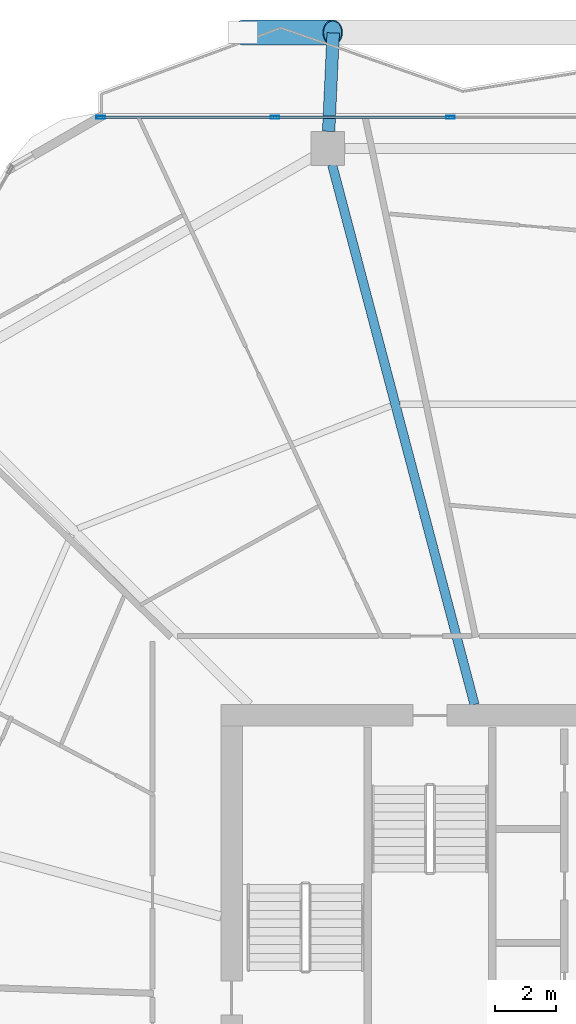
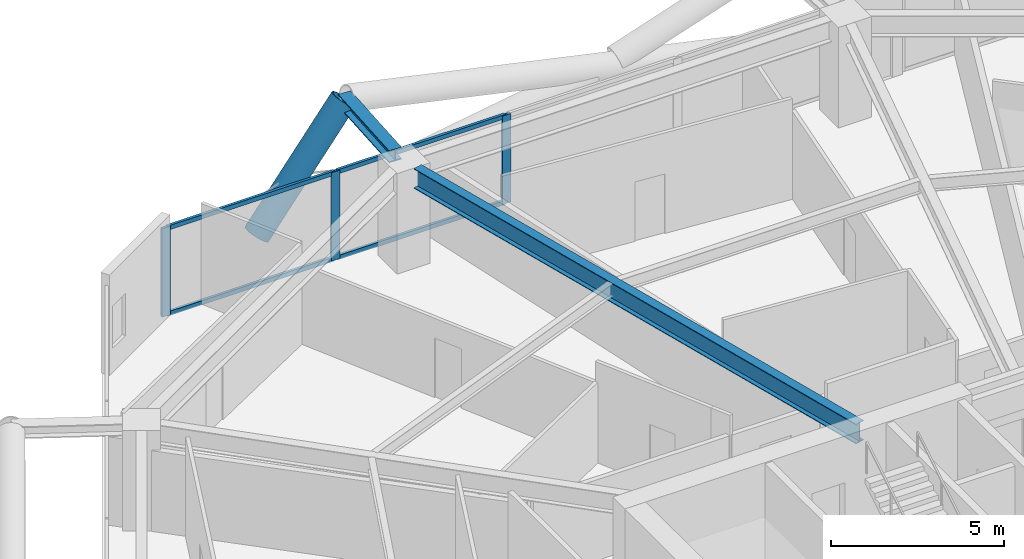
# One storey, part 19 of 35: 8 members, 2 beams, 1 element without a shape of its own.
"""IFC4 building model written with IfcOpenShell, lengths in metres."""

from ifc_helpers import new_model, si_unit, direction, frame, origin, origin_2d, place, context, subcontext, project, spatial, hollow_rectangle, hollow_circle, i_section, extrude, material, material_profile, profile_set, type_object, element, aggregate, save


model = new_model("IFC4")

# Units and contexts
model_context = context("Model", 3, precision=1e-05, world=origin(), true_north=direction((0.0, 1.0)))
body_context = subcontext(model_context, "Body", "Model", "MODEL_VIEW")
ifc_project = project(units=[si_unit("LENGTHUNIT", "METRE"), si_unit("AREAUNIT", "SQUARE_METRE"), si_unit("VOLUMEUNIT", "CUBIC_METRE"), si_unit("PLANEANGLEUNIT", "RADIAN"), si_unit("MASSUNIT", "GRAM", prefix="KILO")], contexts=[model_context])

# Site, building, storey
site_placement = place(None, origin())
site = spatial("IfcSite", under=ifc_project, at=site_placement, CompositionType="ELEMENT")
building_placement = place(site_placement, origin())
building = spatial("IfcBuilding", under=site, at=building_placement, Name="Zuhravey Tower", CompositionType="ELEMENT")
storey_placement = place(building_placement, frame((0.0, 0.0, 138.0)))
storey = spatial("IfcBuildingStorey", under=building, at=storey_placement, Name="L34", CompositionType="ELEMENT", Elevation=138.0)

# Curtain wall, members
ifc_material_1 = material(Name="Thermally broken anodised aluminium", Category="aluminium")
curtain_wall_type = type_object("IfcCurtainWallType", Name="Zone 1-2 Residential Curtain Wall CW3", PredefinedType="NOTDEFINED", material=ifc_material_1)
curtain_wall_placement = place(storey_placement, origin())
curtain_wall = element("IfcCurtainWall", 1, at=curtain_wall_placement, inside=storey, type_object=curtain_wall_type, Name="L34 CW3 CW-L34-F2-1", PredefinedType="NOTDEFINED")
ifc_material_2 = material(Name="Anodised aluminium", Category="aluminium")
ifc_material_profile_1 = material_profile(ifc_material_2, hollow_rectangle(XDim=0.090087890625, YDim=0.284912109375, WallThickness=0.0048828125, at=origin_2d()), Name="ALU-RHS-90x285x5")
ifc_profile_set_1 = profile_set([ifc_material_profile_1], Name="Anodised aluminium")
member_type_1 = type_object("IfcMemberType", Name="Curtain-Wall Mullion 90x180", PredefinedType="MULLION", material=ifc_profile_set_1)
member_1_placement = place(storey_placement, frame((21.24560546875, 60.95849609375, 0.0), z_axis=(0.0, 0.0, 1.0), x_axis=(0.0, 1.0, 0.0)))
member_1 = element("IfcMember", 2, at=member_1_placement, type_object=member_type_1, Name="CW3 mullion 1", PredefinedType="MULLION", context=body_context, shape_type="SweptSolid", body=[
    extrude(hollow_rectangle(XDim=0.090087890625, YDim=0.284912109375, WallThickness=0.0048828125, at=origin_2d()), origin(), (0.0, 0.0, 1.0), 3.1220703125),
])
member_2_placement = place(storey_placement, frame((26.909912109375, 60.95849609375, 0.0), z_axis=(0.0, 0.0, 1.0), x_axis=(0.0, 1.0, 0.0)))
member_2 = element("IfcMember", 3, at=member_2_placement, type_object=member_type_1, Name="CW3 mullion 2", PredefinedType="MULLION", context=body_context, shape_type="SweptSolid", body=[
    extrude(hollow_rectangle(XDim=0.090087890625, YDim=0.284912109375, WallThickness=0.0048828125, at=origin_2d()), origin(), (0.0, 0.0, 1.0), 3.1220703125),
])
member_3_placement = place(storey_placement, frame((32.619384765625, 60.95849609375, 0.0), z_axis=(0.0, 0.0, 1.0), x_axis=(0.0, 1.0, 0.0)))
member_3 = element("IfcMember", 4, at=member_3_placement, type_object=member_type_1, Name="CW3 mullion 3", PredefinedType="MULLION", context=body_context, shape_type="SweptSolid", body=[
    extrude(hollow_rectangle(XDim=0.090087890625, YDim=0.284912109375, WallThickness=0.0048828125, at=origin_2d()), origin(), (0.0, 0.0, 1.0), 3.1220703125),
])
ifc_material_profile_2 = material_profile(ifc_material_2, hollow_rectangle(XDim=0.090087890625, YDim=0.14990234375, WallThickness=0.0048828125, at=origin_2d()), Name="ALU-RHS-90x150x5")
ifc_profile_set_2 = profile_set([ifc_material_profile_2], Name="Anodised aluminium")
member_type_2 = type_object("IfcMemberType", Name="Curtain-Wall Transom 90x150", PredefinedType="USERDEFINED", material=ifc_profile_set_2)
member_4_placement = place(storey_placement, frame((21.29052734375, 60.95849609375, 0.044921875), z_axis=(1.0, 0.0, 0.0), x_axis=(0.0, 1.0, 0.0)))
member_4 = element("IfcMember", 5, at=member_4_placement, type_object=member_type_2, Name="CW3 transom 1.1", ObjectType="TRANSOM", PredefinedType="USERDEFINED", context=body_context, shape_type="SweptSolid", body=[
    extrude(hollow_rectangle(XDim=0.090087890625, YDim=0.14990234375, WallThickness=0.0048828125, at=origin_2d()), origin(), (0.0, 0.0, 1.0), 5.574462890625),
])
member_5_placement = place(storey_placement, frame((21.29052734375, 60.95849609375, 3.076904296875), z_axis=(1.0, 0.0, 0.0), x_axis=(0.0, 1.0, 0.0)))
member_5 = element("IfcMember", 6, at=member_5_placement, type_object=member_type_2, Name="CW3 transom 1.2", ObjectType="TRANSOM", PredefinedType="USERDEFINED", context=body_context, shape_type="SweptSolid", body=[
    extrude(hollow_rectangle(XDim=0.090087890625, YDim=0.14990234375, WallThickness=0.0048828125, at=origin_2d()), origin(), (0.0, 0.0, 1.0), 5.574462890625),
])
member_6_placement = place(storey_placement, frame((26.955078125, 60.95849609375, 0.044921875), z_axis=(1.0, 0.0, 0.0), x_axis=(0.0, 1.0, 0.0)))
member_6 = element("IfcMember", 7, at=member_6_placement, type_object=member_type_2, Name="CW3 transom 2.1", ObjectType="TRANSOM", PredefinedType="USERDEFINED", context=body_context, shape_type="SweptSolid", body=[
    extrude(hollow_rectangle(XDim=0.090087890625, YDim=0.14990234375, WallThickness=0.0048828125, at=origin_2d()), origin(), (0.0, 0.0, 1.0), 5.619384765625),
])
member_7_placement = place(storey_placement, frame((26.955078125, 60.95849609375, 3.076904296875), z_axis=(1.0, 0.0, 0.0), x_axis=(0.0, 1.0, 0.0)))
member_7 = element("IfcMember", 8, at=member_7_placement, type_object=member_type_2, Name="CW3 transom 2.2", ObjectType="TRANSOM", PredefinedType="USERDEFINED", context=body_context, shape_type="SweptSolid", body=[
    extrude(hollow_rectangle(XDim=0.090087890625, YDim=0.14990234375, WallThickness=0.0048828125, at=origin_2d()), origin(), (0.0, 0.0, 1.0), 5.619384765625),
])
aggregate(curtain_wall, [member_1, member_2, member_3, member_4, member_5, member_6, member_7])

# Beam
ifc_material_3 = material(Name="Steel SM460", Category="steel")
ifc_material_profile_3 = material_profile(ifc_material_3, i_section(OverallWidth=0.406982421875, OverallDepth=0.427978515625, WebThickness=0.02001953125, FlangeThickness=0.034912109375, at=origin_2d()), Name="H-428x407x20x35")
ifc_profile_set_3 = profile_set([ifc_material_profile_3], Name="Steel SM460")
beam_type_1 = type_object("IfcBeamType", Name="Exoskeleton Node Tie Beam H428x407", PredefinedType="BEAM", material=ifc_profile_set_3)
beam_1_placement = place(storey_placement, frame((28.65576171875, 60.50244140625, 3.3359375), z_axis=(0.046700060299, 0.998908956997, 0.0), x_axis=(-0.998908956997, 0.046700060299, 0.0)))
element("IfcBeam", 9, at=beam_1_placement, inside=storey, type_object=beam_type_1, Name="L34 Exoskeleton Node Tie NT1-04", PredefinedType="BEAM", context=body_context, shape_type="SweptSolid", body=[
    extrude(i_section(OverallWidth=0.406982421875, OverallDepth=0.427978515625, WebThickness=0.02001953125, FlangeThickness=0.034912109375, at=origin_2d()), origin(), (0.0, 0.0, 1.0), 3.20458984375),
])

# Member
ifc_material_profile_4 = material_profile(ifc_material_3, hollow_circle(Radius=0.406494140625, WallThickness=0.035888671875, at=origin_2d()), Name="CHS-812.8x36")
ifc_profile_set_4 = profile_set([ifc_material_profile_4], Name="Steel SM460")
member_type_3 = type_object("IfcMemberType", Name="Exoskeleton Zone 1 Diagrid CHS813x36", PredefinedType="BRACE", material=ifc_profile_set_4)
member_8_placement = place(storey_placement, frame((25.880126953125, 63.718505859375, -0.44189453125), z_axis=(0.612327622775, 0.0, 0.790604124949), x_axis=(0.0, 1.0, 0.0)))
element("IfcMember", 10, at=member_8_placement, inside=storey, type_object=member_type_3, Name="L34 Face 2 Diagrid Brace 4", PredefinedType="BRACE", context=body_context, shape_type="SweptSolid", body=[
    extrude(hollow_circle(Radius=0.406494140625, WallThickness=0.035888671875, at=origin_2d()), origin(), (0.0, 0.0, 1.0), 4.750732421875),
])

# Beam
ifc_material_4 = material(Name="Steel SM355", Category="steel")
ifc_material_profile_5 = material_profile(ifc_material_4, i_section(OverallWidth=0.300048828125, OverallDepth=0.699951171875, WebThickness=0.012939453125, FlangeThickness=0.02392578125, at=origin_2d()), Name="H-700x300x13x24")
ifc_profile_set_5 = profile_set([ifc_material_profile_5], Name="Steel SM355")
beam_type_2 = type_object("IfcBeamType", Name="Radial Primary Girder H700x300", PredefinedType="BEAM", material=ifc_profile_set_5)
beam_2_placement = place(storey_placement, frame((33.40185546875, 41.85302734375, 3.199951171875), z_axis=(-0.25498755891, 0.966944333869, 0.0), x_axis=(-0.966944333869, -0.25498755891, 0.0)))
element("IfcBeam", 11, at=beam_2_placement, inside=storey, type_object=beam_type_2, Name="L34 RG1 BM-L34-RAD-04", PredefinedType="BEAM", context=body_context, shape_type="SweptSolid", body=[
    extrude(i_section(OverallWidth=0.300048828125, OverallDepth=0.699951171875, WebThickness=0.012939453125, FlangeThickness=0.02392578125, at=origin_2d()), origin(), (0.0, 0.0, 1.0), 18.1611328125),
])

save(model, "model.ifc")
